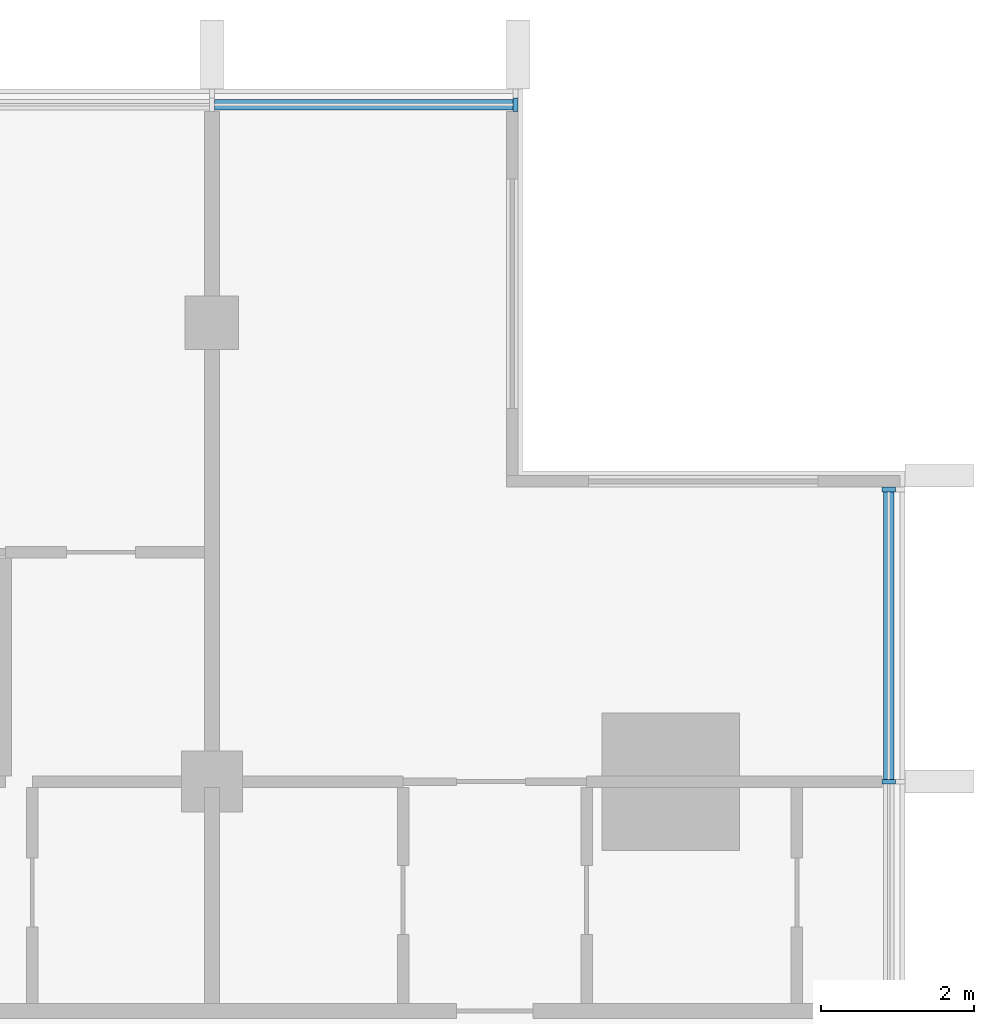
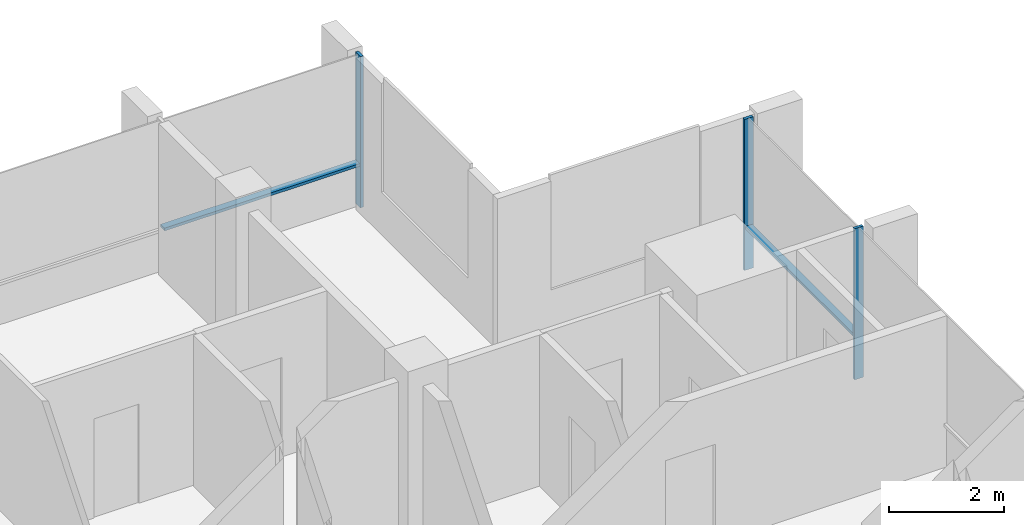
# One storey, part 5 of 16: 5 members, 2 elements without a shape of their own.
"""IFC4 building model written with IfcOpenShell, lengths in metres."""

from ifc_helpers import new_model, si_unit, direction, frame, origin, origin_2d, place, context, subcontext, project, spatial, rectangle, extrude, material, material_profile, profile_set, type_object, element, aggregate, save


model = new_model("IFC4")

# Units and contexts
model_context = context("Model", 3, precision=1e-05, world=origin(), true_north=direction((0.0, 1.0)))
body_context = subcontext(model_context, "Body", "Model", "MODEL_VIEW")
ifc_project = project(units=[si_unit("LENGTHUNIT", "METRE"), si_unit("AREAUNIT", "SQUARE_METRE"), si_unit("VOLUMEUNIT", "CUBIC_METRE"), si_unit("PLANEANGLEUNIT", "RADIAN"), si_unit("MASSUNIT", "GRAM", prefix="KILO")], contexts=[model_context])

# Site, building, storey
site_placement = place(None, origin())
site = spatial("IfcSite", under=ifc_project, at=site_placement, CompositionType="ELEMENT")
building_placement = place(site_placement, origin())
building = spatial("IfcBuilding", under=site, at=building_placement, Name="Finial Court Residences", CompositionType="ELEMENT")
storey_placement = place(building_placement, frame((0.0, 0.0, 295.10009765625)))
storey = spatial("IfcBuildingStorey", under=building, at=storey_placement, Name="L75", CompositionType="ELEMENT", Elevation=295.10009765625)

# Curtain wall, member
ifc_material = material(Name="Bronze anodised aluminium", Category="aluminium")
curtain_wall_type = type_object("IfcCurtainWallType", Name="Unitised curtain wall, upper zones", PredefinedType="NOTDEFINED", material=ifc_material)
curtain_wall_1_placement = place(storey_placement, origin())
curtain_wall_1 = element("IfcCurtainWall", 1, at=curtain_wall_1_placement, inside=storey, type_object=curtain_wall_type, Name="E-L75-CW-N3", PredefinedType="NOTDEFINED")
ifc_material_profile_1 = material_profile(ifc_material, rectangle(XDim=0.175048828125, YDim=0.06005859375, at=origin_2d()), Name="CW2 mullion 60 x 175")
ifc_profile_set_1 = profile_set([ifc_material_profile_1], Name="Bronze anodised aluminium")
member_type_1 = type_object("IfcMemberType", Name="CW2 mullion 60 x 175", PredefinedType="MULLION", material=ifc_profile_set_1)
member_1_placement = place(storey_placement, frame((14.469970703125, 16.35009765625, 0.0), z_axis=(0.0, 0.0, 1.0), x_axis=(0.0, 1.0, 0.0)))
member_1 = element("IfcMember", 2, at=member_1_placement, type_object=member_type_1, Name="CW2 mullion 3", PredefinedType="MULLION", context=body_context, shape_type="SweptSolid", body=[
    extrude(rectangle(XDim=0.175048828125, YDim=0.06005859375, at=origin_2d()), origin(), (0.0, 0.0, 1.0), 3.199951171875),
])

# Curtain wall, members
curtain_wall_2_placement = place(storey_placement, origin())
curtain_wall_2 = element("IfcCurtainWall", 3, at=curtain_wall_2_placement, inside=storey, type_object=curtain_wall_type, Name="E-L75-CW-E6", PredefinedType="NOTDEFINED")
member_2_placement = place(storey_placement, frame((19.35009765625, 7.5, 0.0), z_axis=(0.0, 0.0, 1.0), x_axis=(-1.0, 0.0, 0.0)))
member_2 = element("IfcMember", 4, at=member_2_placement, type_object=member_type_1, Name="CW2 mullion 2", PredefinedType="MULLION", context=body_context, shape_type="SweptSolid", body=[
    extrude(rectangle(XDim=0.175048828125, YDim=0.06005859375, at=origin_2d()), origin(), (0.0, 0.0, 1.0), 3.199951171875),
])
member_3_placement = place(storey_placement, frame((19.35009765625, 11.320068359375, 0.0), z_axis=(0.0, 0.0, 1.0), x_axis=(-1.0, 0.0, 0.0)))
member_3 = element("IfcMember", 5, at=member_3_placement, type_object=member_type_1, Name="CW2 mullion 3", PredefinedType="MULLION", context=body_context, shape_type="SweptSolid", body=[
    extrude(rectangle(XDim=0.175048828125, YDim=0.06005859375, at=origin_2d()), origin(), (0.0, 0.0, 1.0), 3.199951171875),
])

# Member
ifc_material_profile_2 = material_profile(ifc_material, rectangle(XDim=0.139892578125, YDim=0.06005859375, at=origin_2d()), Name="CW2 transom 60 x 140")
ifc_profile_set_2 = profile_set([ifc_material_profile_2], Name="Bronze anodised aluminium")
member_type_2 = type_object("IfcMemberType", Name="CW2 transom 60 x 140", PredefinedType="USERDEFINED", material=ifc_profile_set_2)
member_4_placement = place(storey_placement, frame((10.530029296875, 16.35009765625, 0.89990234375), z_axis=(1.0, 0.0, 0.0), x_axis=(0.0, 1.0, 0.0)))
member_4 = element("IfcMember", 6, at=member_4_placement, type_object=member_type_2, Name="CW2 transom 2.1", ObjectType="TRANSOM", PredefinedType="USERDEFINED", context=body_context, shape_type="SweptSolid", body=[
    extrude(rectangle(XDim=0.139892578125, YDim=0.06005859375, at=origin_2d()), origin(), (0.0, 0.0, 1.0), 3.909912109375),
])

aggregate(curtain_wall_1, [member_1, member_4])

member_5_placement = place(storey_placement, frame((19.35009765625, 7.530029296875, 0.89990234375), z_axis=(0.0, 1.0, 0.0), x_axis=(-1.0, 0.0, 0.0)))
member_5 = element("IfcMember", 7, at=member_5_placement, type_object=member_type_2, Name="CW2 transom 2.1", ObjectType="TRANSOM", PredefinedType="USERDEFINED", context=body_context, shape_type="SweptSolid", body=[
    extrude(rectangle(XDim=0.139892578125, YDim=0.06005859375, at=origin_2d()), origin(), (0.0, 0.0, 1.0), 3.760009765625),
])

aggregate(curtain_wall_2, [member_2, member_3, member_5])

save(model, "model.ifc")
